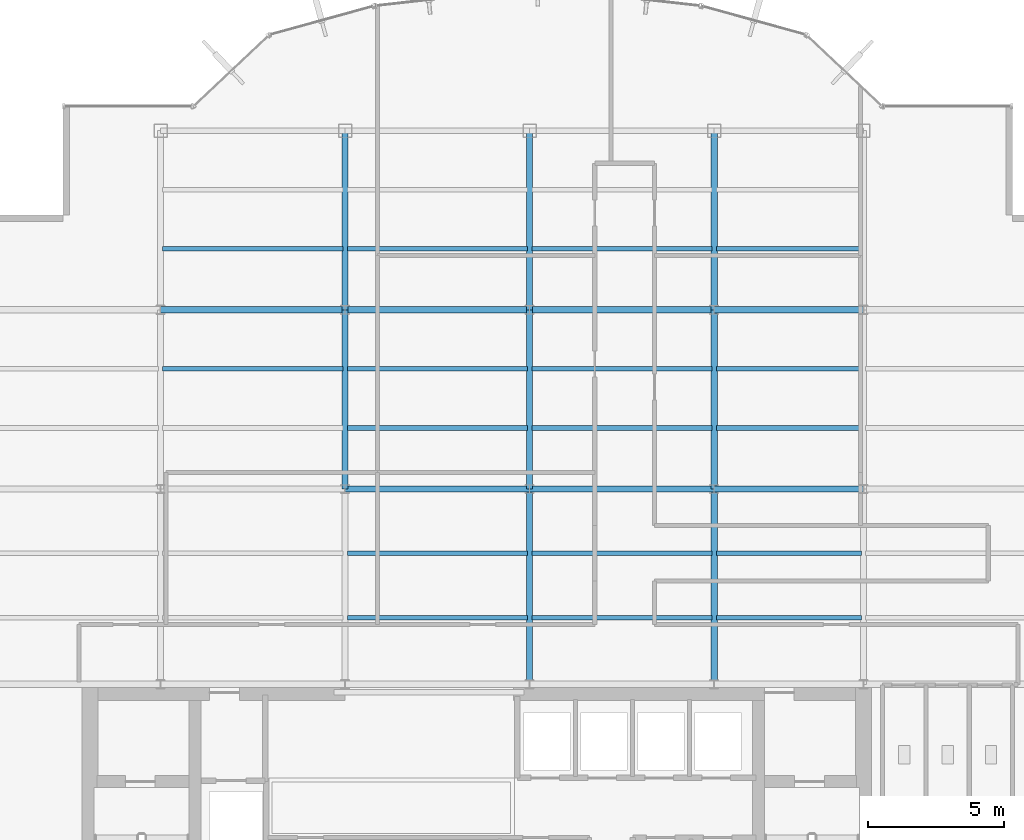
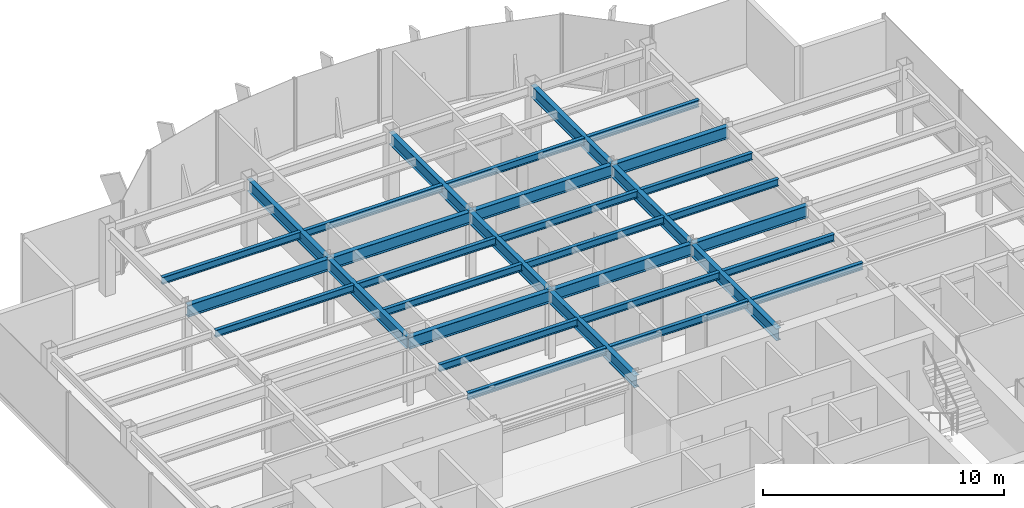
# One storey, part 8 of 22: 32 beams.
"""IFC4 building model written with IfcOpenShell, lengths in metres."""

from ifc_helpers import new_model, si_unit, derived_unit, direction, frame, origin, origin_2d, place, context, subcontext, project, spatial, i_section, extrude, source, transform, mapped, material, material_profile, profile_set, type_object, element, save


model = new_model("IFC4")

# Units and contexts
model_context = context("Model", 3, precision=1e-05, world=origin(), true_north=direction((0.0, 1.0)))
body_context = subcontext(model_context, "Body", "Model", "MODEL_VIEW")
ifc_project = project(units=[si_unit("LENGTHUNIT", "METRE"), si_unit("AREAUNIT", "SQUARE_METRE"), si_unit("VOLUMEUNIT", "CUBIC_METRE"), si_unit("PLANEANGLEUNIT", "RADIAN"), si_unit("MASSUNIT", "GRAM", prefix="KILO"), derived_unit("THERMALTRANSMITTANCEUNIT", [(si_unit("POWERUNIT", "WATT"), 1), (si_unit("LENGTHUNIT", "METRE"), -2), (si_unit("THERMODYNAMICTEMPERATUREUNIT", "KELVIN"), -1)])], contexts=[model_context])

# Site, building, storey
site_placement = place(None, origin())
site = spatial("IfcSite", under=ifc_project, at=site_placement, CompositionType="ELEMENT")
building_placement = place(site_placement, origin())
building = spatial("IfcBuilding", under=site, at=building_placement, Name="Skarnbrae Concourse Arena and Tower", CompositionType="ELEMENT")
storey_placement = place(building_placement, frame((0.0, 0.0, 195.89990234375)))
storey = spatial("IfcBuildingStorey", under=building, at=storey_placement, Name="L50", CompositionType="ELEMENT", Elevation=195.89990234375)

# Beams
ifc_material = material(Name="Steel CSA G40.21 350W", Category="steel")
ifc_material_profile_1 = material_profile(ifc_material, i_section(OverallWidth=0.22802734375, OverallDepth=0.60791015625, WebThickness=0.01123046875, FlangeThickness=0.017333984375, at=origin_2d()), Name="W610X113")
ifc_profile_set_1 = profile_set([ifc_material_profile_1], Name="Steel CSA G40.21 350W")
beam_type_1 = type_object("IfcBeamType", Name="BM-GIRD-W610X113", PredefinedType="BEAM", material=ifc_profile_set_1)
shared_shape_1 = source(origin(), body_context, "Body", "SweptSolid", [
    extrude(i_section(OverallWidth=0.22802734375, OverallDepth=0.60791015625, WebThickness=0.01123046875, FlangeThickness=0.017333984375, at=origin_2d()), origin(), (0.0, 0.0, 1.0), 6.60009765625),
])
for number, where, z_axis, x_axis, name in (
    (1, (14.39990234375, 21.199951171875, 3.09619140625), (0.0, 1.0, 0.0), (-1.0, 0.0, 0.0), "L50 Primary N-S girder X14.4-2"),
    (2, (21.199951171875, 21.199951171875, 3.09619140625), (0.0, 1.0, 0.0), (-1.0, 0.0, 0.0), "L50 Primary N-S girder X21.2-2"),
    (3, (28.0, 21.199951171875, 3.09619140625), (0.0, 1.0, 0.0), (-1.0, 0.0, 0.0), "L50 Primary N-S girder X28.0-2"),
):
    element("IfcBeam", number, at=place(storey_placement, frame(where, z_axis=z_axis, x_axis=x_axis)), inside=storey, type_object=beam_type_1, Name=name, PredefinedType="BEAM", context=body_context, shape_type="MappedRepresentation", body=[
        mapped(shared_shape_1, transform((0.0, 0.0, 0.0))),
    ])
shared_shape_2 = source(origin(), body_context, "Body", "SweptSolid", [
    extrude(i_section(OverallWidth=0.22802734375, OverallDepth=0.60791015625, WebThickness=0.01123046875, FlangeThickness=0.017333984375, at=origin_2d()), origin(), (0.0, 0.0, 1.0), 6.7998046875),
])
beam_placement = place(storey_placement, frame((7.60009765625, 27.800048828125, 3.09619140625), z_axis=(1.0, 0.0, 0.0), x_axis=(0.0, 1.0, 0.0)))
element("IfcBeam", 4, at=beam_placement, inside=storey, type_object=beam_type_1, Name="L50 Primary E-W girder Y27.8-2", PredefinedType="BEAM", context=body_context, shape_type="MappedRepresentation", body=[
    mapped(shared_shape_2, transform((0.0, 0.0, 0.0))),
])
shared_shape_3 = source(origin(), body_context, "Body", "SweptSolid", [
    extrude(i_section(OverallWidth=0.22802734375, OverallDepth=0.60791015625, WebThickness=0.01123046875, FlangeThickness=0.017333984375, at=origin_2d()), origin(), (0.0, 0.0, 1.0), 6.800048828125),
])
for number, where, z_axis, x_axis, name in (
    (5, (14.39990234375, 21.199951171875, 3.09619140625), (1.0, 0.0, 0.0), (0.0, 1.0, 0.0), "L50 Primary E-W girder Y21.2-3"),
    (6, (21.199951171875, 21.199951171875, 3.09619140625), (1.0, 0.0, 0.0), (0.0, 1.0, 0.0), "L50 Primary E-W girder Y21.2-4"),
    (7, (14.39990234375, 27.800048828125, 3.09619140625), (1.0, 0.0, 0.0), (0.0, 1.0, 0.0), "L50 Primary E-W girder Y27.8-3"),
    (8, (21.199951171875, 27.800048828125, 3.09619140625), (1.0, 0.0, 0.0), (0.0, 1.0, 0.0), "L50 Primary E-W girder Y27.8-4"),
):
    element("IfcBeam", number, at=place(storey_placement, frame(where, z_axis=z_axis, x_axis=x_axis)), inside=storey, type_object=beam_type_1, Name=name, PredefinedType="BEAM", context=body_context, shape_type="MappedRepresentation", body=[
        mapped(shared_shape_3, transform((0.0, 0.0, 0.0))),
    ])
shared_shape_4 = source(origin(), body_context, "Body", "SweptSolid", [
    extrude(i_section(OverallWidth=0.22802734375, OverallDepth=0.60791015625, WebThickness=0.01123046875, FlangeThickness=0.017333984375, at=origin_2d()), origin(), (0.0, 0.0, 1.0), 5.5),
])
for number, where, z_axis, x_axis, name in (
    (9, (28.0, 21.199951171875, 3.09619140625), (1.0, 0.0, 0.0), (0.0, 1.0, 0.0), "L50 Primary E-W girder Y21.2-5"),
    (10, (28.0, 27.800048828125, 3.09619140625), (1.0, 0.0, 0.0), (0.0, 1.0, 0.0), "L50 Primary E-W girder Y27.8-5"),
):
    element("IfcBeam", number, at=place(storey_placement, frame(where, z_axis=z_axis, x_axis=x_axis)), inside=storey, type_object=beam_type_1, Name=name, PredefinedType="BEAM", context=body_context, shape_type="MappedRepresentation", body=[
        mapped(shared_shape_4, transform((0.0, 0.0, 0.0))),
    ])
shared_shape_5 = source(origin(), body_context, "Body", "SweptSolid", [
    extrude(i_section(OverallWidth=0.22802734375, OverallDepth=0.60791015625, WebThickness=0.01123046875, FlangeThickness=0.017333984375, at=origin_2d()), origin(), (0.0, 0.0, 1.0), 7.199951171875),
])
for number, where, z_axis, x_axis, name in (
    (11, (21.199951171875, 14.0, 3.09619140625), (0.0, 1.0, 0.0), (-1.0, 0.0, 0.0), "L50 Primary N-S girder X21.2-1"),
    (12, (28.0, 14.0, 3.09619140625), (0.0, 1.0, 0.0), (-1.0, 0.0, 0.0), "L50 Primary N-S girder X28.0-1"),
):
    element("IfcBeam", number, at=place(storey_placement, frame(where, z_axis=z_axis, x_axis=x_axis)), inside=storey, type_object=beam_type_1, Name=name, PredefinedType="BEAM", context=body_context, shape_type="MappedRepresentation", body=[
        mapped(shared_shape_5, transform((0.0, 0.0, 0.0))),
    ])
shared_shape_6 = source(origin(), body_context, "Body", "SweptSolid", [
    extrude(i_section(OverallWidth=0.22802734375, OverallDepth=0.60791015625, WebThickness=0.01123046875, FlangeThickness=0.017333984375, at=origin_2d()), origin(), (0.0, 0.0, 1.0), 6.599853515625),
])
for number, where, z_axis, x_axis, name in (
    (13, (14.39990234375, 27.800048828125, 3.09619140625), (0.0, 1.0, 0.0), (-1.0, 0.0, 0.0), "L50 Primary N-S girder X14.4-3"),
    (14, (21.199951171875, 27.800048828125, 3.09619140625), (0.0, 1.0, 0.0), (-1.0, 0.0, 0.0), "L50 Primary N-S girder X21.2-3"),
    (15, (28.0, 27.800048828125, 3.09619140625), (0.0, 1.0, 0.0), (-1.0, 0.0, 0.0), "L50 Primary N-S girder X28.0-3"),
):
    element("IfcBeam", number, at=place(storey_placement, frame(where, z_axis=z_axis, x_axis=x_axis)), inside=storey, type_object=beam_type_1, Name=name, PredefinedType="BEAM", context=body_context, shape_type="MappedRepresentation", body=[
        mapped(shared_shape_6, transform((0.0, 0.0, 0.0))),
    ])
ifc_material_profile_2 = material_profile(ifc_material, i_section(OverallWidth=0.1708984375, OverallDepth=0.35498046875, WebThickness=0.007080078125, FlangeThickness=0.01171875, at=origin_2d()), Name="W360X51")
ifc_profile_set_2 = profile_set([ifc_material_profile_2], Name="Steel CSA G40.21 350W")
beam_type_2 = type_object("IfcBeamType", Name="BM-JOIST-W360X51", PredefinedType="JOIST", material=ifc_profile_set_2)
shared_shape_7 = source(origin(), body_context, "Body", "SweptSolid", [
    extrude(i_section(OverallWidth=0.1708984375, OverallDepth=0.35498046875, WebThickness=0.007080078125, FlangeThickness=0.01171875, at=origin_2d()), origin(), (0.0, 0.0, 1.0), 6.64013671875),
])
for number, where, z_axis, x_axis, name in (
    (16, (14.47998046875, 16.447998046875, 3.22265625), (1.0, 0.0, 0.0), (0.0, 1.0, 0.0), "L50 Secondary floor joist 1.1.3"),
    (17, (14.47998046875, 18.823974609375, 3.22265625), (1.0, 0.0, 0.0), (0.0, 1.0, 0.0), "L50 Secondary floor joist 1.2.3"),
    (18, (14.47998046875, 23.444091796875, 3.22265625), (1.0, 0.0, 0.0), (0.0, 1.0, 0.0), "L50 Secondary floor joist 2.1.3"),
    (19, (7.679931640625, 25.6220703125, 3.22265625), (1.0, 0.0, 0.0), (0.0, 1.0, 0.0), "L50 Secondary floor joist 2.2.2"),
    (20, (14.47998046875, 25.6220703125, 3.22265625), (1.0, 0.0, 0.0), (0.0, 1.0, 0.0), "L50 Secondary floor joist 2.2.3"),
    (21, (7.679931640625, 30.0439453125, 3.22265625), (1.0, 0.0, 0.0), (0.0, 1.0, 0.0), "L50 Secondary floor joist 3.1.1"),
    (22, (14.47998046875, 30.0439453125, 3.22265625), (1.0, 0.0, 0.0), (0.0, 1.0, 0.0), "L50 Secondary floor joist 3.1.2"),
):
    element("IfcBeam", number, at=place(storey_placement, frame(where, z_axis=z_axis, x_axis=x_axis)), inside=storey, type_object=beam_type_2, Name=name, PredefinedType="JOIST", context=body_context, shape_type="MappedRepresentation", body=[
        mapped(shared_shape_7, transform((0.0, 0.0, 0.0))),
    ])
shared_shape_8 = source(origin(), body_context, "Body", "SweptSolid", [
    extrude(i_section(OverallWidth=0.1708984375, OverallDepth=0.35498046875, WebThickness=0.007080078125, FlangeThickness=0.01171875, at=origin_2d()), origin(), (0.0, 0.0, 1.0), 6.639892578125),
])
for number, where, z_axis, x_axis, name in (
    (23, (21.280029296875, 16.447998046875, 3.22265625), (1.0, 0.0, 0.0), (0.0, 1.0, 0.0), "L50 Secondary floor joist 1.1.4"),
    (24, (21.280029296875, 18.823974609375, 3.22265625), (1.0, 0.0, 0.0), (0.0, 1.0, 0.0), "L50 Secondary floor joist 1.2.4"),
    (25, (21.280029296875, 23.444091796875, 3.22265625), (1.0, 0.0, 0.0), (0.0, 1.0, 0.0), "L50 Secondary floor joist 2.1.4"),
    (26, (21.280029296875, 25.6220703125, 3.22265625), (1.0, 0.0, 0.0), (0.0, 1.0, 0.0), "L50 Secondary floor joist 2.2.4"),
    (27, (21.280029296875, 30.0439453125, 3.22265625), (1.0, 0.0, 0.0), (0.0, 1.0, 0.0), "L50 Secondary floor joist 3.1.3"),
):
    element("IfcBeam", number, at=place(storey_placement, frame(where, z_axis=z_axis, x_axis=x_axis)), inside=storey, type_object=beam_type_2, Name=name, PredefinedType="JOIST", context=body_context, shape_type="MappedRepresentation", body=[
        mapped(shared_shape_8, transform((0.0, 0.0, 0.0))),
    ])
shared_shape_9 = source(origin(), body_context, "Body", "SweptSolid", [
    extrude(i_section(OverallWidth=0.1708984375, OverallDepth=0.35498046875, WebThickness=0.007080078125, FlangeThickness=0.01171875, at=origin_2d()), origin(), (0.0, 0.0, 1.0), 5.33984375),
])
for number, where, z_axis, x_axis, name in (
    (28, (28.080078125, 16.447998046875, 3.22265625), (1.0, 0.0, 0.0), (0.0, 1.0, 0.0), "L50 Secondary floor joist 1.1.5"),
    (29, (28.080078125, 18.823974609375, 3.22265625), (1.0, 0.0, 0.0), (0.0, 1.0, 0.0), "L50 Secondary floor joist 1.2.5"),
    (30, (28.080078125, 23.444091796875, 3.22265625), (1.0, 0.0, 0.0), (0.0, 1.0, 0.0), "L50 Secondary floor joist 2.1.5"),
    (31, (28.080078125, 25.6220703125, 3.22265625), (1.0, 0.0, 0.0), (0.0, 1.0, 0.0), "L50 Secondary floor joist 2.2.5"),
    (32, (28.080078125, 30.0439453125, 3.22265625), (1.0, 0.0, 0.0), (0.0, 1.0, 0.0), "L50 Secondary floor joist 3.1.4"),
):
    element("IfcBeam", number, at=place(storey_placement, frame(where, z_axis=z_axis, x_axis=x_axis)), inside=storey, type_object=beam_type_2, Name=name, PredefinedType="JOIST", context=body_context, shape_type="MappedRepresentation", body=[
        mapped(shared_shape_9, transform((0.0, 0.0, 0.0))),
    ])

save(model, "model.ifc")
